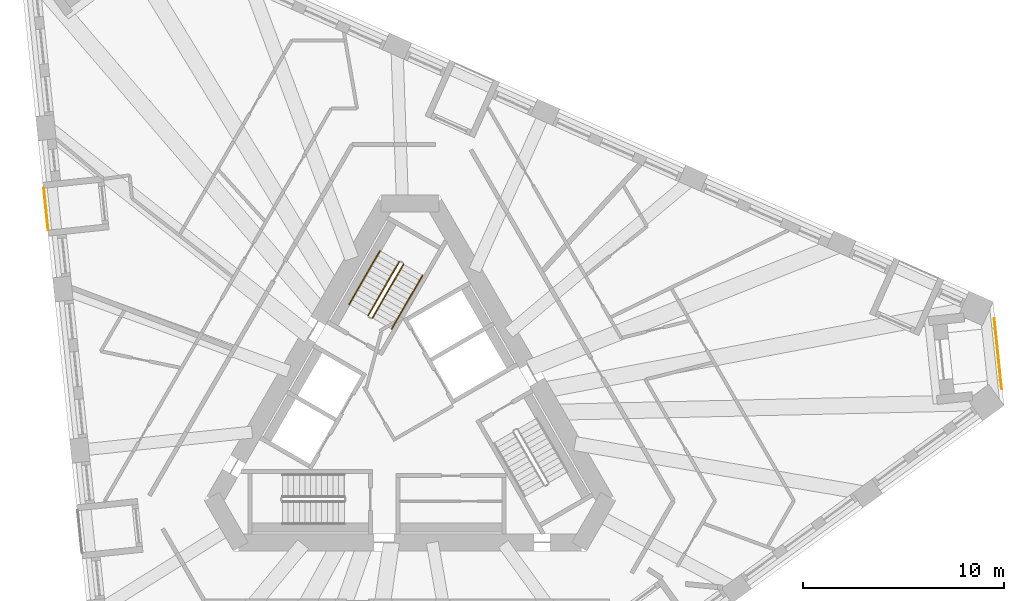
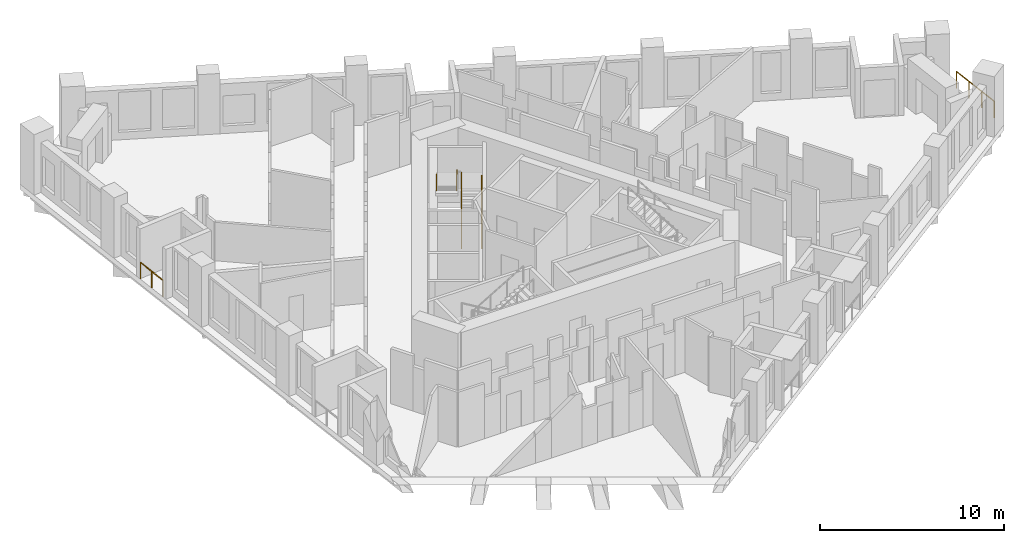
# One storey, part 12 of 14: 6 railings.
"""IFC4 building model written with IfcOpenShell, lengths in metres."""

from ifc_helpers import new_model, si_unit, direction, frame, origin, origin_2d, place, context, subcontext, project, spatial, circle, extrude, material, type_object, element, save


model = new_model("IFC4")

# Units and contexts
model_context = context("Model", 3, precision=1e-05, world=origin(), true_north=direction((0.0, 1.0)))
body_context = subcontext(model_context, "Body", "Model", "MODEL_VIEW")
ifc_project = project(units=[si_unit("LENGTHUNIT", "METRE"), si_unit("AREAUNIT", "SQUARE_METRE"), si_unit("VOLUMEUNIT", "CUBIC_METRE"), si_unit("PLANEANGLEUNIT", "RADIAN"), si_unit("MASSUNIT", "GRAM", prefix="KILO")], contexts=[model_context])

# Site, building, storey
site_placement = place(None, origin())
site = spatial("IfcSite", under=ifc_project, at=site_placement, CompositionType="ELEMENT")
building_placement = place(site_placement, origin())
building = spatial("IfcBuilding", under=site, at=building_placement, Name="Tramontana Tower", CompositionType="ELEMENT")
storey_placement = place(building_placement, frame((0.0, 0.0, 186.800048828125)))
storey = spatial("IfcBuildingStorey", under=building, at=storey_placement, Name="L43", CompositionType="ELEMENT", Elevation=186.800048828125)

# Railings
ifc_material_1 = material(Name="Laminated glass balustrade", Category="glass")
railing_type_1 = type_object("IfcRailingType", Name="GD1 Loggia glass balustrade 1100", PredefinedType="BALUSTRADE", material=ifc_material_1)
railing_1_placement = place(storey_placement, frame((-18.25390625, 11.325439453125, 0.0)))
element("IfcRailing", 1, at=railing_1_placement, inside=storey, type_object=railing_type_1, Name="Loggia balustrade L43 G4S0.4", PredefinedType="BALUSTRADE", context=body_context, shape_type="SweptSolid", body=[
    extrude(circle(Radius=0.02392578125, at=origin_2d()), frame((0.0, 0.0, 1.076171875), z_axis=(0.104569484464, -0.994517583011, 0.0), x_axis=(0.994517583011, 0.104569484464, 0.0)), (0.0, 0.0, 1.0), 2.09423828125),
    extrude(circle(Radius=0.02099609375, at=origin_2d()), origin(), (0.0, 0.0, 1.0), 1.052001953125),
    extrude(circle(Radius=0.02099609375, at=origin_2d()), frame((0.109375, -1.04150390625, 0.0)), (0.0, 0.0, 1.0), 1.052001953125),
    extrude(circle(Radius=0.02099609375, at=origin_2d()), frame((0.218994140625, -2.082763671875, 0.0)), (0.0, 0.0, 1.0), 1.052001953125),
])
railing_2_placement = place(storey_placement, frame((29.125732421875, 4.82080078125, 0.0)))
element("IfcRailing", 2, at=railing_2_placement, inside=storey, type_object=railing_type_1, Name="Corner loggia balustrade L43 K42", PredefinedType="BALUSTRADE", context=body_context, shape_type="SweptSolid", body=[
    extrude(circle(Radius=0.02392578125, at=origin_2d()), frame((0.0, 0.0, 1.076171875), z_axis=(0.104495960989, -0.994525310958, 0.0), x_axis=(0.994525310958, 0.104495960989, 0.0)), (0.0, 0.0, 1.0), 3.499755859375),
    extrude(circle(Radius=0.02099609375, at=origin_2d()), origin(), (0.0, 0.0, 1.0), 1.052001953125),
    extrude(circle(Radius=0.02099609375, at=origin_2d()), frame((0.121826171875, -1.16015625, 0.0)), (0.0, 0.0, 1.0), 1.052001953125),
    extrude(circle(Radius=0.02099609375, at=origin_2d()), frame((0.243896484375, -2.320556640625, 0.0)), (0.0, 0.0, 1.0), 1.052001953125),
    extrude(circle(Radius=0.02099609375, at=origin_2d()), frame((0.36572265625, -3.480712890625, 0.0)), (0.0, 0.0, 1.0), 1.052001953125),
])
ifc_material_2 = material(Name="Painted steel", Category="steel")
railing_type_2 = type_object("IfcRailingType", Name="STAIR GUARD 1100", PredefinedType="GUARDRAIL", material=ifc_material_2)
railing_3_placement = place(storey_placement, frame((-1.867431640625, 4.865478515625, 0.16650390625)))
element("IfcRailing", 3, at=railing_3_placement, inside=storey, type_object=railing_type_2, Name="L43 ST1 stair guard 1", PredefinedType="GUARDRAIL", context=body_context, shape_type="SweptSolid", body=[
    extrude(circle(Radius=0.02392578125, at=origin_2d()), frame((0.0, 0.0, 1.076171875), z_axis=(0.429634447492, 0.7441639146, 0.511502013422), x_axis=(-0.866029832698, 0.499992328818, 0.0)), (0.0, 0.0, 1.0), 3.58447265625),
    extrude(circle(Radius=0.02099609375, at=origin_2d()), origin(), (0.0, 0.0, 1.0), 1.052001953125),
    extrude(circle(Radius=0.02099609375, at=origin_2d()), frame((0.513427734375, 0.88916015625, 0.611083984375)), (0.0, 0.0, 1.0), 1.052001953125),
    extrude(circle(Radius=0.02099609375, at=origin_2d()), frame((1.026611328125, 1.7783203125, 1.222412109375)), (0.0, 0.0, 1.0), 1.052001953125),
    extrude(circle(Radius=0.02099609375, at=origin_2d()), frame((1.5400390625, 2.66748046875, 1.83349609375)), (0.0, 0.0, 1.0), 1.052001953125),
])
railing_4_placement = place(storey_placement, frame((-0.5439453125, 7.657958984375, 2.16650390625)))
element("IfcRailing", 4, at=railing_4_placement, inside=storey, type_object=railing_type_2, Name="L43 ST1 stair guard 2", PredefinedType="GUARDRAIL", context=body_context, shape_type="SweptSolid", body=[
    extrude(circle(Radius=0.02392578125, at=origin_2d()), frame((0.0, 0.0, 1.076171875), z_axis=(-0.429634447492, -0.7441639146, 0.511502013422), x_axis=(0.866029832698, -0.499992328818, 0.0)), (0.0, 0.0, 1.0), 3.58447265625),
    extrude(circle(Radius=0.02099609375, at=origin_2d()), origin(), (0.0, 0.0, 1.0), 1.052001953125),
    extrude(circle(Radius=0.02099609375, at=origin_2d()), frame((-0.513427734375, -0.88916015625, 0.611083984375)), (0.0, 0.0, 1.0), 1.052001953125),
    extrude(circle(Radius=0.02099609375, at=origin_2d()), frame((-1.026611328125, -1.7783203125, 1.222412109375)), (0.0, 0.0, 1.0), 1.052001953125),
    extrude(circle(Radius=0.02099609375, at=origin_2d()), frame((-1.5400390625, -2.66748046875, 1.83349609375)), (0.0, 0.0, 1.0), 1.052001953125),
])
ifc_material_3 = material(Name="Painted steel", Category="steel")
railing_type_3 = type_object("IfcRailingType", Name="STAIR HANDRAIL 900", PredefinedType="HANDRAIL", material=ifc_material_3)
railing_5_placement = place(storey_placement, frame((-0.914794921875, 4.315673828125, 0.16650390625)))
element("IfcRailing", 5, at=railing_5_placement, inside=storey, type_object=railing_type_3, Name="L43 ST1 stair handrail 1", PredefinedType="HANDRAIL", context=body_context, shape_type="SweptSolid", body=[
    extrude(circle(Radius=0.02392578125, at=origin_2d()), frame((0.0, 0.0, 0.8759765625), z_axis=(0.429656224001, 0.744133520484, 0.511527939481), x_axis=(-0.866010015463, 0.500026652407, 0.0)), (0.0, 0.0, 1.0), 3.58447265625),
    extrude(circle(Radius=0.02099609375, at=origin_2d()), origin(), (0.0, 0.0, 1.0), 0.851806640625),
    extrude(circle(Radius=0.02099609375, at=origin_2d()), frame((0.513427734375, 0.88916015625, 0.611083984375)), (0.0, 0.0, 1.0), 0.851806640625),
    extrude(circle(Radius=0.02099609375, at=origin_2d()), frame((1.026611328125, 1.778076171875, 1.222412109375)), (0.0, 0.0, 1.0), 0.851806640625),
    extrude(circle(Radius=0.02099609375, at=origin_2d()), frame((1.5400390625, 2.667236328125, 1.83349609375)), (0.0, 0.0, 1.0), 0.851806640625),
])
railing_6_placement = place(storey_placement, frame((-1.49658203125, 8.2080078125, 2.16650390625)))
element("IfcRailing", 6, at=railing_6_placement, inside=storey, type_object=railing_type_3, Name="L43 ST1 stair handrail 2", PredefinedType="HANDRAIL", context=body_context, shape_type="SweptSolid", body=[
    extrude(circle(Radius=0.02392578125, at=origin_2d()), frame((0.0, 0.0, 0.8759765625), z_axis=(-0.429634447492, -0.7441639146, 0.511502013422), x_axis=(0.866029832698, -0.499992328818, 0.0)), (0.0, 0.0, 1.0), 3.58447265625),
    extrude(circle(Radius=0.02099609375, at=origin_2d()), origin(), (0.0, 0.0, 1.0), 0.851806640625),
    extrude(circle(Radius=0.02099609375, at=origin_2d()), frame((-0.513427734375, -0.88916015625, 0.611083984375)), (0.0, 0.0, 1.0), 0.851806640625),
    extrude(circle(Radius=0.02099609375, at=origin_2d()), frame((-1.026611328125, -1.7783203125, 1.222412109375)), (0.0, 0.0, 1.0), 0.851806640625),
    extrude(circle(Radius=0.02099609375, at=origin_2d()), frame((-1.5400390625, -2.66748046875, 1.83349609375)), (0.0, 0.0, 1.0), 0.851806640625),
])

save(model, "model.ifc")
